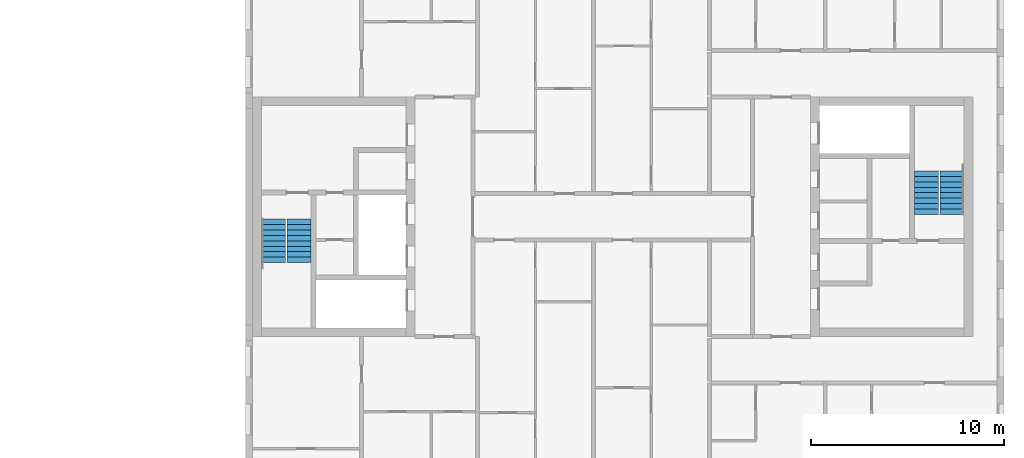
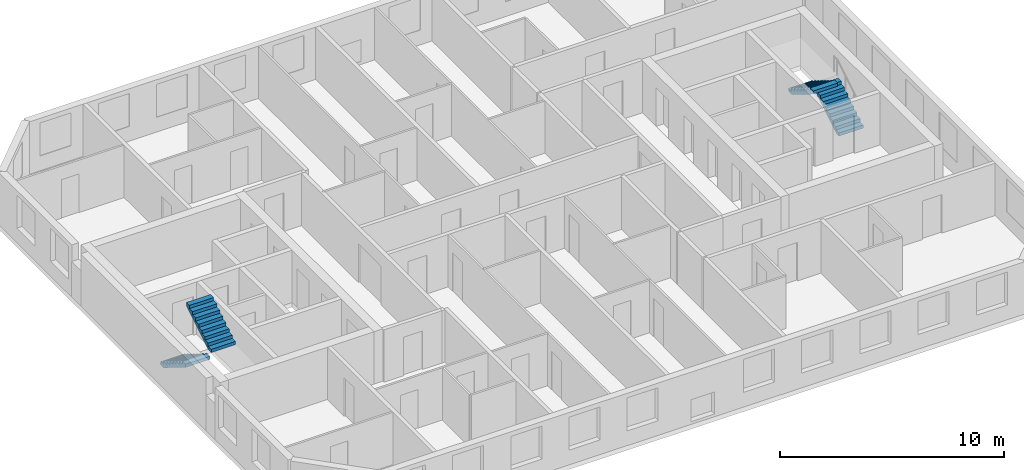
# One storey, part 13 of 15: 4 stair flights, 2 elements without a shape of their own.
"""IFC4 building model written with IfcOpenShell, lengths in metres."""

from ifc_helpers import new_model, si_unit, direction, frame, origin, place, context, subcontext, project, spatial, polyline, outline, extrude, material, type_object, element, aggregate, save


model = new_model("IFC4")

# Units and contexts
model_context = context("Model", 3, precision=1e-05, world=origin(), true_north=direction((0.0, 1.0)))
body_context = subcontext(model_context, "Body", "Model", "MODEL_VIEW")
ifc_project = project(units=[si_unit("LENGTHUNIT", "METRE"), si_unit("AREAUNIT", "SQUARE_METRE"), si_unit("VOLUMEUNIT", "CUBIC_METRE"), si_unit("PLANEANGLEUNIT", "RADIAN"), si_unit("MASSUNIT", "GRAM", prefix="KILO")], contexts=[model_context])

# Site, building, storey
site_placement = place(None, origin())
site = spatial("IfcSite", under=ifc_project, at=site_placement, CompositionType="ELEMENT")
building_placement = place(site_placement, origin())
building = spatial("IfcBuilding", under=site, at=building_placement, Name="Tuart Gate Housing", CompositionType="ELEMENT")
storey_placement = place(building_placement, frame((0.0, 0.0, 191.300048828125)))
storey = spatial("IfcBuildingStorey", under=building, at=storey_placement, Name="L54", CompositionType="ELEMENT", Elevation=191.300048828125)

# Stair, stair flights
ifc_material_1 = material(Name="Concrete C40", Category="concrete")
stair_type = type_object("IfcStairType", Name="Core stair 1250", PredefinedType="HALF_TURN_STAIR", material=ifc_material_1)
stair_1_placement = place(storey_placement, origin())
stair_1 = element("IfcStair", 1, at=stair_1_placement, inside=storey, type_object=stair_type, Name="Stair SB1", PredefinedType="HALF_TURN_STAIR")
ifc_material_2 = material(Name="Concrete C40", Category="concrete")
stair_flight_type = type_object("IfcStairFlightType", Name="Stair flight 1250, 9 risers 172 x 280", PredefinedType="STRAIGHT", material=ifc_material_2)
stair_flight_1_placement = place(storey_placement, frame((132.43505859375, 69.875, 0.0), z_axis=(0.0, 0.0, 1.0), x_axis=(0.0, -1.0, 0.0)))
stair_flight_1 = element("IfcStairFlight", 2, at=stair_flight_1_placement, type_object=stair_flight_type, Name="SB1 flight 1", NumberOfRisers=9, NumberOfTreads=8, PredefinedType="STRAIGHT", RiserHeight=0.172222222, TreadLength=0.28, context=body_context, shape_type="SweptSolid", body=[
    extrude(outline(polyline([(0.0, 0.0), (0.0, 0.172119140625), (0.280029296875, 0.172119140625), (0.280029296875, 0.344482421875), (0.56005859375, 0.344482421875), (0.56005859375, 0.5166015625), (0.840087890625, 0.5166015625), (0.840087890625, 0.68896484375), (1.1201171875, 0.68896484375), (1.1201171875, 0.861083984375), (1.39990234375, 0.861083984375), (1.39990234375, 1.033447265625), (1.679931640625, 1.033447265625), (1.679931640625, 1.20556640625), (1.9599609375, 1.20556640625), (1.9599609375, 1.377685546875), (2.239990234375, 1.377685546875), (2.239990234375, 1.550048828125), (2.239990234375, 1.201904296875), (0.2861328125, 0.0), (0.0, 0.0)])), frame((0.0, 0.625, 0.0), z_axis=(0.0, -1.0, 0.0), x_axis=(1.0, 0.0, 0.0)), (0.0, 0.0, 1.0), 1.25),
])
stair_flight_2_placement = place(storey_placement, frame((133.760009765625, 67.635009765625, 1.550048828125), z_axis=(0.0, 0.0, 1.0), x_axis=(0.0, 1.0, 0.0)))
stair_flight_2 = element("IfcStairFlight", 3, at=stair_flight_2_placement, type_object=stair_flight_type, Name="SB1 flight 2", NumberOfRisers=9, NumberOfTreads=8, PredefinedType="STRAIGHT", RiserHeight=0.172222222, TreadLength=0.28, context=body_context, shape_type="SweptSolid", body=[
    extrude(outline(polyline([(0.0, 0.0), (0.0, 0.172119140625), (0.280029296875, 0.172119140625), (0.280029296875, 0.344482421875), (0.56005859375, 0.344482421875), (0.56005859375, 0.5166015625), (0.840087890625, 0.5166015625), (0.840087890625, 0.68896484375), (1.1201171875, 0.68896484375), (1.1201171875, 0.861083984375), (1.39990234375, 0.861083984375), (1.39990234375, 1.033447265625), (1.679931640625, 1.033447265625), (1.679931640625, 1.20556640625), (1.9599609375, 1.20556640625), (1.9599609375, 1.377685546875), (2.239990234375, 1.377685546875), (2.239990234375, 1.550048828125), (2.239990234375, 1.201904296875), (0.2861328125, 0.0), (0.0, 0.0)])), frame((0.0, 0.625, 0.0), z_axis=(0.0, -1.0, 0.0), x_axis=(1.0, 0.0, 0.0)), (0.0, 0.0, 1.0), 1.25),
])
aggregate(stair_1, [stair_flight_1, stair_flight_2])

stair_2_placement = place(storey_placement, origin())
stair_2 = element("IfcStair", 4, at=stair_2_placement, inside=storey, type_object=stair_type, Name="Stair SB2", PredefinedType="HALF_TURN_STAIR")
stair_flight_3_placement = place(storey_placement, frame((167.56494140625, 70.125, 0.0), z_axis=(0.0, 0.0, 1.0), x_axis=(0.0, 1.0, 0.0)))
stair_flight_3 = element("IfcStairFlight", 5, at=stair_flight_3_placement, type_object=stair_flight_type, Name="SB2 flight 1", NumberOfRisers=9, NumberOfTreads=8, PredefinedType="STRAIGHT", RiserHeight=0.172222222, TreadLength=0.28, context=body_context, shape_type="SweptSolid", body=[
    extrude(outline(polyline([(0.0, 0.0), (0.0, 0.172119140625), (0.280029296875, 0.172119140625), (0.280029296875, 0.344482421875), (0.56005859375, 0.344482421875), (0.56005859375, 0.5166015625), (0.840087890625, 0.5166015625), (0.840087890625, 0.68896484375), (1.1201171875, 0.68896484375), (1.1201171875, 0.861083984375), (1.39990234375, 0.861083984375), (1.39990234375, 1.033447265625), (1.679931640625, 1.033447265625), (1.679931640625, 1.20556640625), (1.9599609375, 1.20556640625), (1.9599609375, 1.377685546875), (2.239990234375, 1.377685546875), (2.239990234375, 1.550048828125), (2.239990234375, 1.201904296875), (0.2861328125, 0.0), (0.0, 0.0)])), frame((0.0, 0.625, 0.0), z_axis=(0.0, -1.0, 0.0), x_axis=(1.0, 0.0, 0.0)), (0.0, 0.0, 1.0), 1.25),
])
stair_flight_4_placement = place(storey_placement, frame((166.239990234375, 72.364990234375, 1.550048828125), z_axis=(0.0, 0.0, 1.0), x_axis=(0.0, -1.0, 0.0)))
stair_flight_4 = element("IfcStairFlight", 6, at=stair_flight_4_placement, type_object=stair_flight_type, Name="SB2 flight 2", NumberOfRisers=9, NumberOfTreads=8, PredefinedType="STRAIGHT", RiserHeight=0.172222222, TreadLength=0.28, context=body_context, shape_type="SweptSolid", body=[
    extrude(outline(polyline([(0.0, 0.0), (0.0, 0.172119140625), (0.280029296875, 0.172119140625), (0.280029296875, 0.344482421875), (0.56005859375, 0.344482421875), (0.56005859375, 0.5166015625), (0.840087890625, 0.5166015625), (0.840087890625, 0.68896484375), (1.1201171875, 0.68896484375), (1.1201171875, 0.861083984375), (1.39990234375, 0.861083984375), (1.39990234375, 1.033447265625), (1.679931640625, 1.033447265625), (1.679931640625, 1.20556640625), (1.9599609375, 1.20556640625), (1.9599609375, 1.377685546875), (2.239990234375, 1.377685546875), (2.239990234375, 1.550048828125), (2.239990234375, 1.201904296875), (0.2861328125, 0.0), (0.0, 0.0)])), frame((0.0, 0.625, 0.0), z_axis=(0.0, -1.0, 0.0), x_axis=(1.0, 0.0, 0.0)), (0.0, 0.0, 1.0), 1.25),
])
aggregate(stair_2, [stair_flight_3, stair_flight_4])

save(model, "model.ifc")
